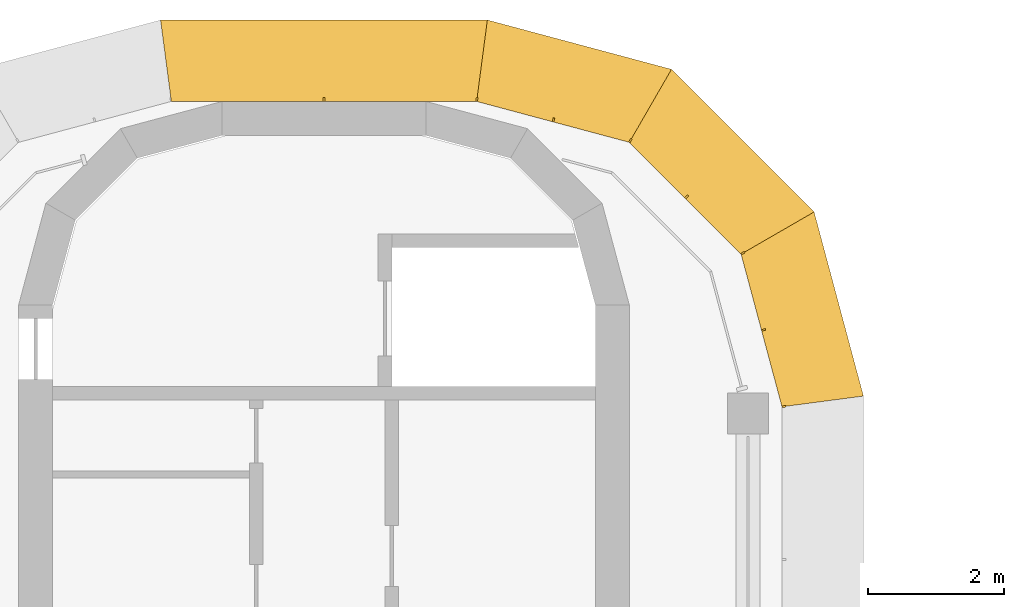
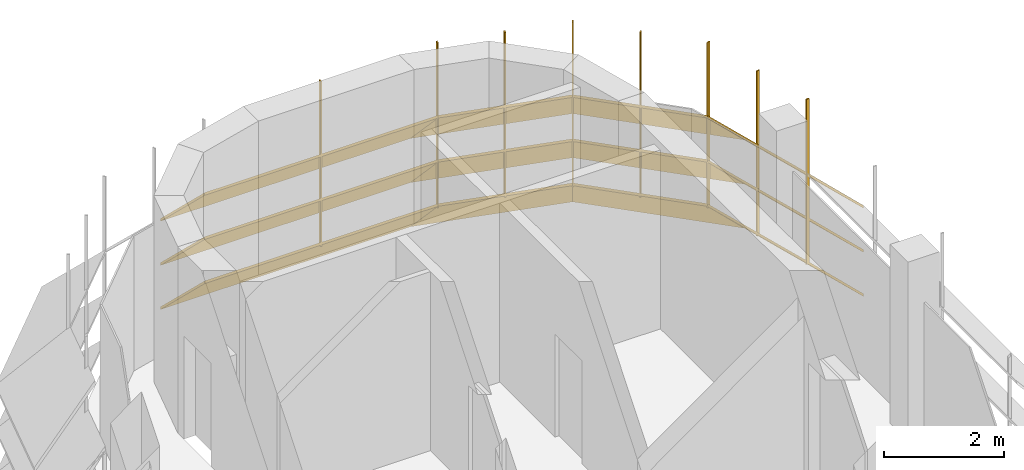
# One storey, part 19 of 19: 2 shading devices.
"""IFC4 building model written with IfcOpenShell, lengths in metres."""

from ifc_helpers import new_model, si_unit, direction, frame, origin, place, context, subcontext, project, spatial, polyline, outline, extrude, faceted_brep, source, transform, mapped, material, type_object, element, save


model = new_model("IFC4")

# Units and contexts
model_context = context("Model", 3, precision=1e-05, world=origin(), true_north=direction((0.0, 1.0)))
body_context = subcontext(model_context, "Body", "Model", "MODEL_VIEW")
ifc_project = project(units=[si_unit("LENGTHUNIT", "METRE"), si_unit("AREAUNIT", "SQUARE_METRE"), si_unit("VOLUMEUNIT", "CUBIC_METRE"), si_unit("PLANEANGLEUNIT", "RADIAN"), si_unit("MASSUNIT", "GRAM", prefix="KILO")], contexts=[model_context])

# Site, building, storey
site_placement = place(None, origin())
site = spatial("IfcSite", under=ifc_project, at=site_placement, CompositionType="ELEMENT")
building_placement = place(site_placement, origin())
building = spatial("IfcBuilding", under=site, at=building_placement, Name="Zarbagh Exchange Tower", CompositionType="ELEMENT")
storey_placement = place(building_placement, frame((0.0, 0.0, 268.800048828125)))
storey = spatial("IfcBuildingStorey", under=building, at=storey_placement, Name="L66", CompositionType="ELEMENT", Elevation=268.800048828125)

# Shading devices
ifc_material = material(Name="Anodised aluminium blades and brackets", Category="aluminium")
shading_device_type = type_object("IfcShadingDeviceType", Name="SUNSHADE louvre band, 45 degree blades", PredefinedType="JALOUSIE", material=ifc_material)
shared_shape_1 = source(origin(), body_context, "Body", "Brep", [
    faceted_brep([(0.0, 0.0, 0.0), (0.0, 0.0, -0.056640625), (-0.157958984375, -1.199951171875, -1.256591796875), (-0.157958984375, -1.199951171875, -1.199951171875), (2.65087890625, -1.199951171875, -1.199951171875), (2.65087890625, -1.199951171875, -1.256591796875), (2.329345703125, 0.0, -0.056640625), (2.329345703125, 0.0, 0.0)], [[[0, 1, 2, 3]], [[4, 5, 6, 7]], [[0, 7, 6, 1]], [[1, 6, 5, 2]], [[2, 5, 4, 3]], [[3, 4, 7, 0]]]),
])
shared_shape_2 = source(origin(), body_context, "Body", "Brep", [
    faceted_brep([(0.0, 0.0, 0.0), (0.0, 0.0, -0.056640625), (-0.321533203125, -1.199951171875, -1.256591796875), (-0.321533203125, -1.199951171875, -1.199951171875), (2.65087890625, -1.199951171875, -1.199951171875), (2.65087890625, -1.199951171875, -1.256591796875), (2.329345703125, 0.0, -0.056640625), (2.329345703125, 0.0, 0.0)], [[[0, 1, 2, 3]], [[4, 5, 6, 7]], [[0, 7, 6, 1]], [[1, 6, 5, 2]], [[2, 5, 4, 3]], [[3, 4, 7, 0]]]),
])
shared_shape_3 = source(origin(), body_context, "Body", "Brep", [
    faceted_brep([(0.0, 0.0, 0.0), (0.0, 0.0, -0.056640625), (-0.321533203125, -1.199951171875, -1.256591796875), (-0.321533203125, -1.199951171875, -1.199951171875), (2.4873046875, -1.199951171875, -1.199951171875), (2.4873046875, -1.199951171875, -1.256591796875), (2.329345703125, 0.0, -0.056640625), (2.329345703125, 0.0, 0.0)], [[[0, 1, 2, 3]], [[4, 5, 6, 7]], [[0, 7, 6, 1]], [[1, 6, 5, 2]], [[2, 5, 4, 3]], [[3, 4, 7, 0]]]),
])
shared_shape_4 = source(origin(), body_context, "Body", "SweptSolid", [
    extrude(outline(polyline([(0.0, -0.012451171875), (0.06005859375, -0.012451171875), (0.06005859375, 0.012451171875), (0.0, 0.012451171875), (0.0, -0.012451171875)])), origin(), (0.0, 0.0, 1.0), 3.366455078125),
])
placement = place(storey_placement, origin())
element("IfcShadingDevice", 1, at=placement, inside=storey, type_object=shading_device_type, Name="SS46 sunshade band", PredefinedType="JALOUSIE", context=body_context, shape_type="MappedRepresentation", body=[
    mapped(shared_shape_1, transform((6.75, 24.75, 2.300048828125), x_axis=(-0.258824779902, 0.965924289636, 0.0), y_axis=(-0.965924289636, -0.258824779902, 0.0), z_axis=(0.0, 0.0, 1.0))),
    mapped(shared_shape_1, transform((6.75, 24.75, 1.39990234375), x_axis=(-0.258824779902, 0.965924289636, 0.0), y_axis=(-0.965924289636, -0.258824779902, 0.0), z_axis=(0.0, 0.0, 1.0))),
    mapped(shared_shape_1, transform((6.75, 24.75, 0.5), x_axis=(-0.258824779902, 0.965924289636, 0.0), y_axis=(-0.965924289636, -0.258824779902, 0.0), z_axis=(0.0, 0.0, 1.0))),
    mapped(shared_shape_2, transform((6.147216796875, 27.0, 2.300048828125), x_axis=(-0.707106781187, 0.707106781187, 0.0), y_axis=(-0.707106781187, -0.707106781187, 0.0), z_axis=(0.0, 0.0, 1.0))),
    mapped(shared_shape_2, transform((6.147216796875, 27.0, 1.39990234375), x_axis=(-0.707106781187, 0.707106781187, 0.0), y_axis=(-0.707106781187, -0.707106781187, 0.0), z_axis=(0.0, 0.0, 1.0))),
    mapped(shared_shape_2, transform((6.147216796875, 27.0, 0.5), x_axis=(-0.707106781187, 0.707106781187, 0.0), y_axis=(-0.707106781187, -0.707106781187, 0.0), z_axis=(0.0, 0.0, 1.0))),
    mapped(shared_shape_3, transform((4.5, 28.647216796875, 2.300048828125), x_axis=(-0.965924289636, 0.258824779902, 0.0), y_axis=(-0.258824779902, -0.965924289636, 0.0), z_axis=(0.0, 0.0, 1.0))),
    mapped(shared_shape_3, transform((4.5, 28.647216796875, 1.39990234375), x_axis=(-0.965924289636, 0.258824779902, 0.0), y_axis=(-0.258824779902, -0.965924289636, 0.0), z_axis=(0.0, 0.0, 1.0))),
    mapped(shared_shape_3, transform((4.5, 28.647216796875, 0.5), x_axis=(-0.965924289636, 0.258824779902, 0.0), y_axis=(-0.258824779902, -0.965924289636, 0.0), z_axis=(0.0, 0.0, 1.0))),
    mapped(shared_shape_4, transform((6.75, 24.75, 0.413330078125), x_axis=(0.991444457092, 0.130529263012, 0.0), y_axis=(-0.130529263012, 0.991444457092, 0.0), z_axis=(0.0, 0.0, 1.0))),
    mapped(shared_shape_4, transform((6.448486328125, 25.875, 0.413330078125), x_axis=(0.96592421511, 0.258825058029, 0.0), y_axis=(-0.258825058029, 0.96592421511, 0.0), z_axis=(0.0, 0.0, 1.0))),
    mapped(shared_shape_4, transform((6.147216796875, 27.0, 0.413330078125), x_axis=(0.866023812018, 0.50000275701, 0.0), y_axis=(-0.50000275701, 0.866023812018, 0.0), z_axis=(0.0, 0.0, 1.0))),
    mapped(shared_shape_4, transform((5.323486328125, 27.823486328125, 0.413330078125), x_axis=(0.707106781187, 0.707106781187, 0.0), y_axis=(-0.707106781187, 0.707106781187, 0.0), z_axis=(0.0, 0.0, 1.0))),
    mapped(shared_shape_4, transform((4.5, 28.647216796875, 0.413330078125), x_axis=(0.50000275701, 0.866023812018, 0.0), y_axis=(-0.866023812018, 0.50000275701, 0.0), z_axis=(0.0, 0.0, 1.0))),
    mapped(shared_shape_4, transform((3.375, 28.948486328125, 0.413330078125), x_axis=(0.258825058029, 0.96592421511, 0.0), y_axis=(-0.96592421511, 0.258825058029, 0.0), z_axis=(0.0, 0.0, 1.0))),
])
shared_shape_5 = source(origin(), body_context, "Body", "Brep", [
    faceted_brep([(0.0, 0.0, 0.0), (0.0, 0.0, -0.056640625), (-0.157958984375, -1.199951171875, -1.256591796875), (-0.157958984375, -1.199951171875, -1.199951171875), (4.657958984375, -1.199951171875, -1.199951171875), (4.657958984375, -1.199951171875, -1.256591796875), (4.5, 0.0, -0.056640625), (4.5, 0.0, 0.0)], [[[0, 1, 2, 3]], [[4, 5, 6, 7]], [[0, 7, 6, 1]], [[1, 6, 5, 2]], [[2, 5, 4, 3]], [[3, 4, 7, 0]]]),
])
element("IfcShadingDevice", 2, at=placement, inside=storey, type_object=shading_device_type, Name="SS47 sunshade band", PredefinedType="JALOUSIE", context=body_context, shape_type="MappedRepresentation", body=[
    mapped(shared_shape_5, transform((2.25, 29.25, 2.300048828125), x_axis=(-1.0, 0.0, 0.0), y_axis=(0.0, -1.0, 0.0), z_axis=(0.0, 0.0, 1.0))),
    mapped(shared_shape_5, transform((2.25, 29.25, 1.39990234375), x_axis=(-1.0, 0.0, 0.0), y_axis=(0.0, -1.0, 0.0), z_axis=(0.0, 0.0, 1.0))),
    mapped(shared_shape_5, transform((2.25, 29.25, 0.5), x_axis=(-1.0, 0.0, 0.0), y_axis=(0.0, -1.0, 0.0), z_axis=(0.0, 0.0, 1.0))),
    mapped(shared_shape_4, transform((2.25, 29.25, 0.413330078125), x_axis=(0.130529263012, 0.991444457092, 0.0), y_axis=(-0.991444457092, 0.130529263012, 0.0), z_axis=(0.0, 0.0, 1.0))),
    mapped(shared_shape_4, transform((0.0, 29.25, 0.413330078125), x_axis=(0.0, 1.0, 0.0), y_axis=(-1.0, 0.0, 0.0), z_axis=(0.0, 0.0, 1.0))),
])

save(model, "model.ifc")
